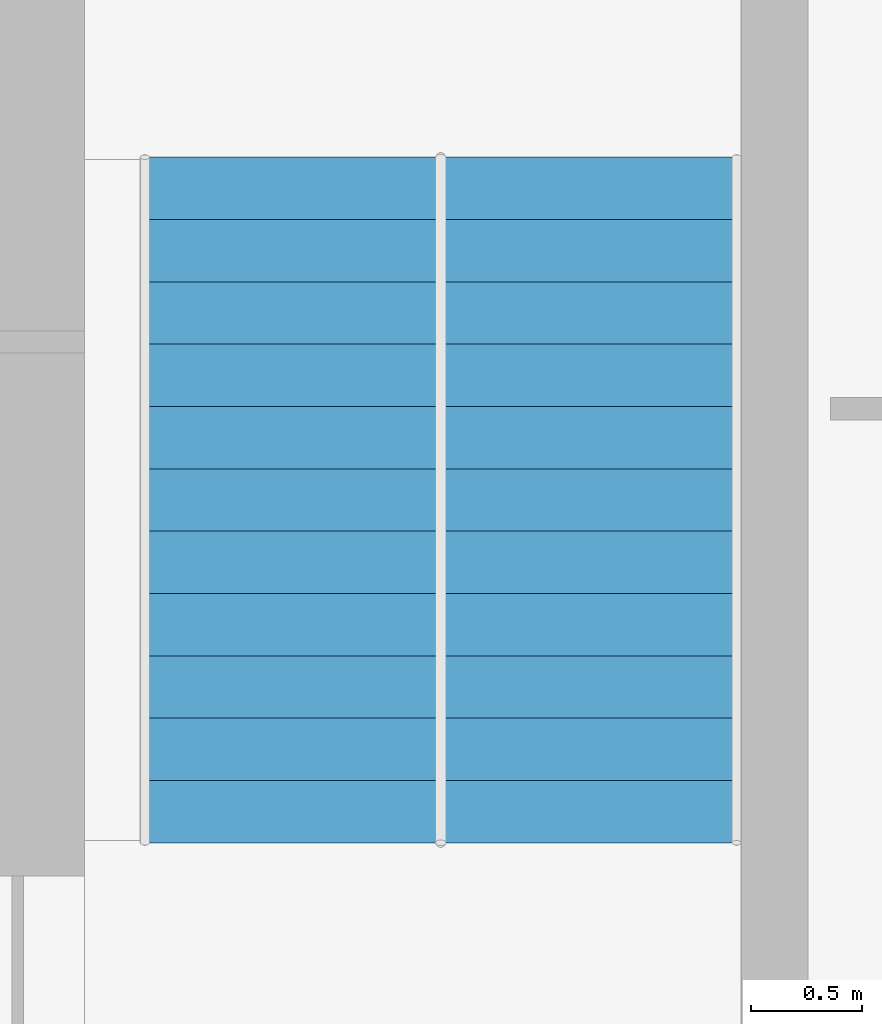
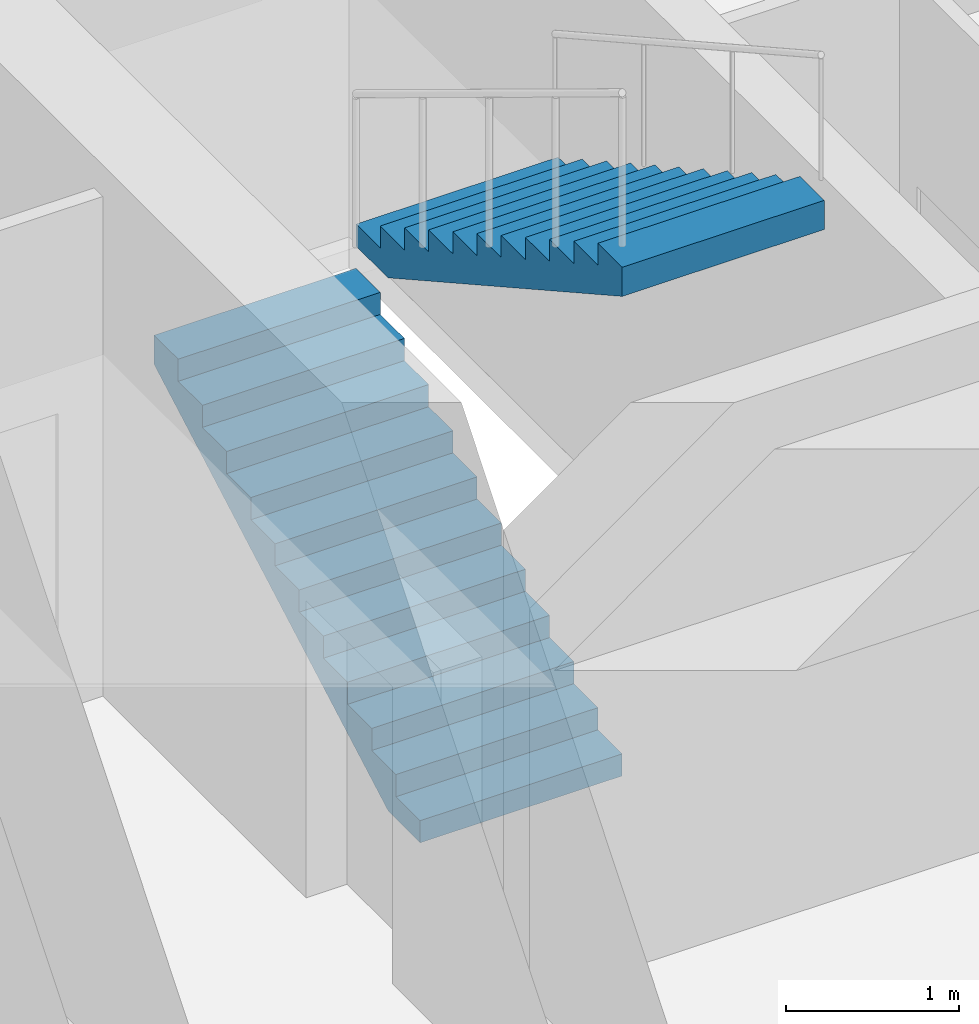
# One storey, part 11 of 12: 2 stair flights, 1 element without a shape of its own.
"""IFC4 building model written with IfcOpenShell, lengths in metres."""

from ifc_helpers import new_model, si_unit, direction, frame, origin, place, context, subcontext, project, spatial, polyline, outline, extrude, material, type_object, element, aggregate, save


model = new_model("IFC4")

# Units and contexts
model_context = context("Model", 3, precision=1e-05, world=origin(), true_north=direction((0.0, 1.0)))
body_context = subcontext(model_context, "Body", "Model", "MODEL_VIEW")
ifc_project = project(units=[si_unit("LENGTHUNIT", "METRE"), si_unit("AREAUNIT", "SQUARE_METRE"), si_unit("VOLUMEUNIT", "CUBIC_METRE"), si_unit("PLANEANGLEUNIT", "RADIAN"), si_unit("MASSUNIT", "GRAM", prefix="KILO")], contexts=[model_context])

# Site, building, storey
site_placement = place(None, origin())
site = spatial("IfcSite", under=ifc_project, at=site_placement, CompositionType="ELEMENT")
building_placement = place(site_placement, origin())
building = spatial("IfcBuilding", under=site, at=building_placement, Name="Impinga Residences", CompositionType="ELEMENT")
storey_placement = place(building_placement, frame((0.0, 0.0, 211.0)))
storey = spatial("IfcBuildingStorey", under=building, at=storey_placement, Name="L52", CompositionType="ELEMENT", Elevation=211.0)

# Stair, stair flights
ifc_material = material(Name="Concrete C40/50", Category="concrete")
stair_type = type_object("IfcStairType", Name="STR wing stair 3750 storey, 24 risers", PredefinedType="HALF_TURN_STAIR", material=ifc_material)
stair_placement = place(storey_placement, origin())
stair = element("IfcStair", 1, at=stair_placement, inside=storey, type_object=stair_type, Name="Stair WS1 L52", PredefinedType="HALF_TURN_STAIR")
stair_flight_type = type_object("IfcStairFlightType", Name="SF 12 risers of 156", PredefinedType="STRAIGHT", material=ifc_material)
stair_flight_1_placement = place(storey_placement, frame((2.425048828125, 22.131591796875, 0.0), z_axis=(0.0, 0.0, 1.0), x_axis=(0.0, 1.0, 0.0)))
stair_flight_1 = element("IfcStairFlight", 2, at=stair_flight_1_placement, type_object=stair_flight_type, Name="WS1 flight 1", NumberOfRisers=12, NumberOfTreads=11, PredefinedType="STRAIGHT", RiserHeight=0.15625, TreadLength=0.28, context=body_context, shape_type="SweptSolid", body=[
    extrude(outline(polyline([(0.0, 0.0), (0.0, 0.15625), (0.280029296875, 0.15625), (0.280029296875, 0.3125), (0.56005859375, 0.3125), (0.56005859375, 0.46875), (0.840087890625, 0.46875), (0.840087890625, 0.625), (1.1201171875, 0.625), (1.1201171875, 0.78125), (1.39990234375, 0.78125), (1.39990234375, 0.9375), (1.679931640625, 0.9375), (1.679931640625, 1.09375), (1.9599609375, 1.09375), (1.9599609375, 1.25), (2.239990234375, 1.25), (2.239990234375, 1.40625), (2.52001953125, 1.40625), (2.52001953125, 1.5625), (2.800048828125, 1.5625), (2.800048828125, 1.71875), (3.080078125, 1.71875), (3.080078125, 1.875), (3.080078125, 1.5126953125), (0.369140625, 0.0), (0.0, 0.0)])), frame((0.0, 0.675048828125, 0.0), z_axis=(0.0, -1.0, 0.0), x_axis=(1.0, 0.0, 0.0)), (0.0, 0.0, 1.0), 1.35009765625),
])
stair_flight_2_placement = place(storey_placement, frame((3.77490234375, 25.21142578125, 1.875), z_axis=(0.0, 0.0, 1.0), x_axis=(0.0, -1.0, 0.0)))
stair_flight_2 = element("IfcStairFlight", 3, at=stair_flight_2_placement, type_object=stair_flight_type, Name="WS1 flight 2", NumberOfRisers=12, NumberOfTreads=11, PredefinedType="STRAIGHT", RiserHeight=0.15625, TreadLength=0.28, context=body_context, shape_type="SweptSolid", body=[
    extrude(outline(polyline([(0.0, 0.0), (0.0, 0.15625), (0.280029296875, 0.15625), (0.280029296875, 0.3125), (0.56005859375, 0.3125), (0.56005859375, 0.46875), (0.840087890625, 0.46875), (0.840087890625, 0.625), (1.1201171875, 0.625), (1.1201171875, 0.78125), (1.39990234375, 0.78125), (1.39990234375, 0.9375), (1.679931640625, 0.9375), (1.679931640625, 1.09375), (1.9599609375, 1.09375), (1.9599609375, 1.25), (2.239990234375, 1.25), (2.239990234375, 1.40625), (2.52001953125, 1.40625), (2.52001953125, 1.5625), (2.800048828125, 1.5625), (2.800048828125, 1.71875), (3.080078125, 1.71875), (3.080078125, 1.875), (3.080078125, 1.5126953125), (0.369140625, 0.0), (0.0, 0.0)])), frame((0.0, 0.675048828125, 0.0), z_axis=(0.0, -1.0, 0.0), x_axis=(1.0, 0.0, 0.0)), (0.0, 0.0, 1.0), 1.35009765625),
])
aggregate(stair, [stair_flight_1, stair_flight_2])

save(model, "model.ifc")
